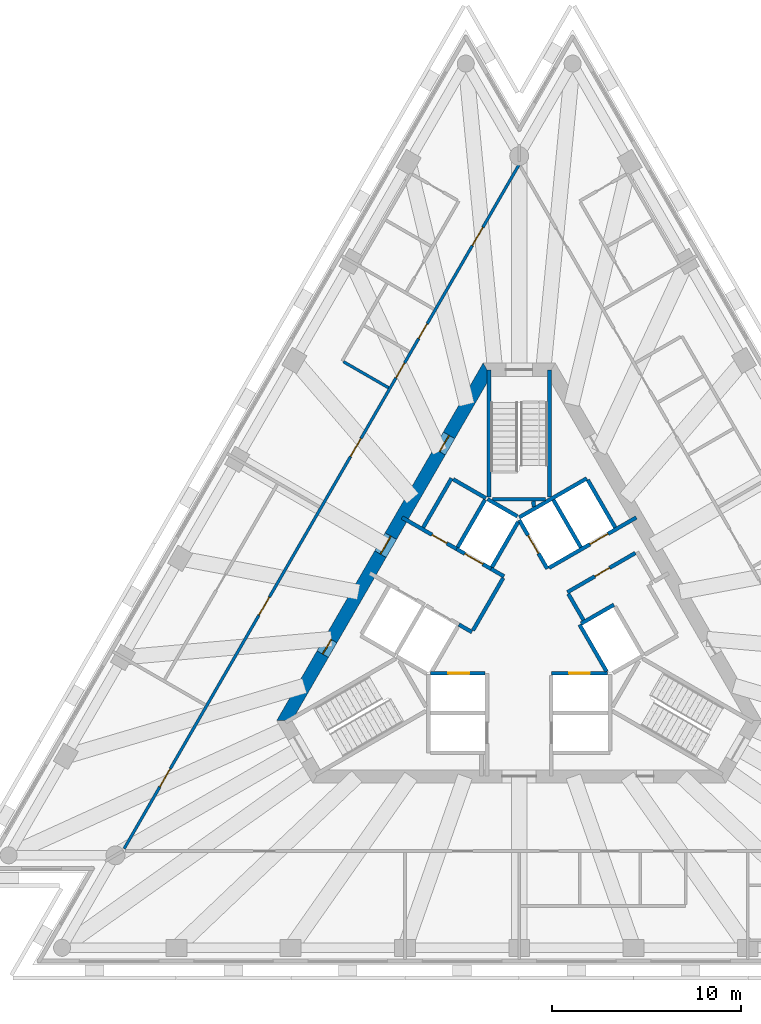
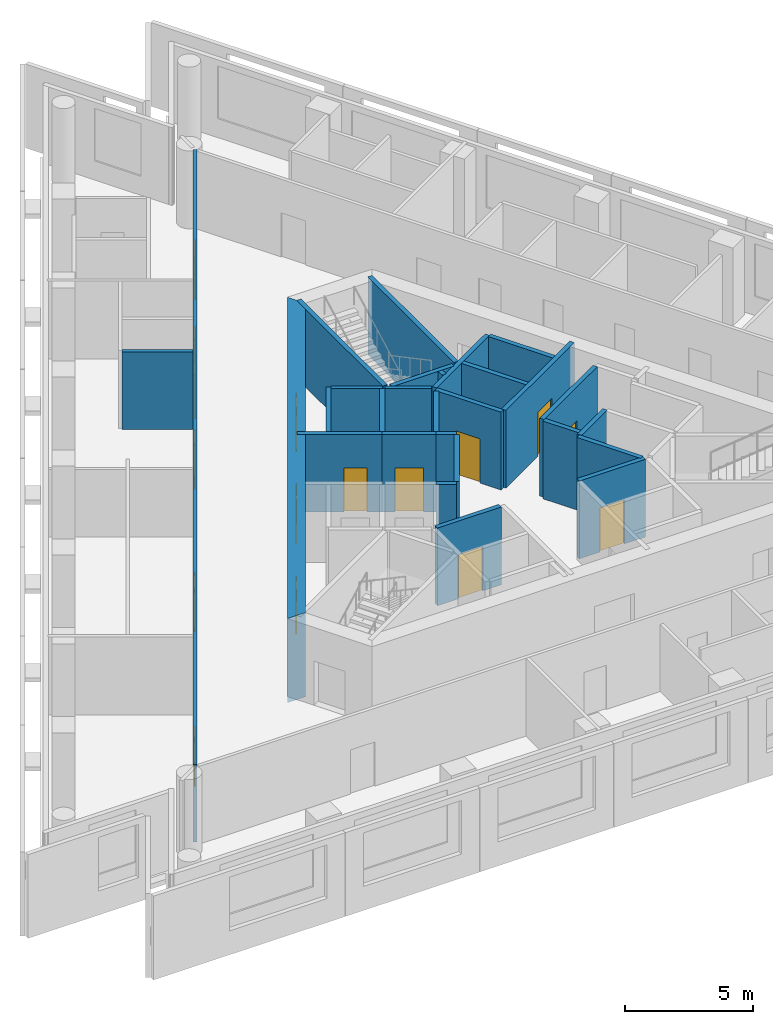
# One storey, part 4 of 9: 28 walls, 16 doors, 16 openings.
"""IFC4 building model written with IfcOpenShell, lengths in metres."""

from ifc_helpers import new_model, si_unit, direction, frame, frame_2d, origin, place, context, subcontext, project, spatial, polyline, rectangle, outline, extrude, material, layer, layer_set, type_object, element, fill, save


model = new_model("IFC4")

# Units and contexts
model_context = context("Model", 3, precision=1e-05, world=origin(), true_north=direction((0.0, 1.0)))
body_context = subcontext(model_context, "Body", "Model", "MODEL_VIEW")
ifc_project = project(units=[si_unit("LENGTHUNIT", "METRE"), si_unit("AREAUNIT", "SQUARE_METRE"), si_unit("VOLUMEUNIT", "CUBIC_METRE"), si_unit("PLANEANGLEUNIT", "RADIAN"), si_unit("MASSUNIT", "GRAM", prefix="KILO")], contexts=[model_context])

# Site, building, storey
site_placement = place(None, origin())
site = spatial("IfcSite", under=ifc_project, at=site_placement, CompositionType="ELEMENT")
building_placement = place(site_placement, origin())
building = spatial("IfcBuilding", under=site, at=building_placement, Name="Triada Interchange Tower", CompositionType="ELEMENT")
storey_placement = place(building_placement, frame((0.0, 0.0, 215.300048828125)))
storey = spatial("IfcBuildingStorey", under=building, at=storey_placement, Name="L50", CompositionType="ELEMENT", Elevation=215.300048828125)

# Wall, opening, door
ifc_material_1 = material(Name="Concrete C30/37", Category="concrete")
ifc_layer_1 = layer(ifc_material_1, 0.199951171875)
ifc_layer_set_1 = layer_set([ifc_layer_1], Name="CORE WALL 200 EI 120")
wall_type_1 = type_object("IfcWallType", Name="CORE WALL 200 EI 120", PredefinedType="SOLIDWALL", material=ifc_layer_set_1)
wall_1_placement = place(storey_placement, frame((-4.676025390625, -2.699951171875, 0.0), z_axis=(0.0, 0.0, 1.0), x_axis=(1.0, 0.0, 0.0)))
wall_1 = element("IfcWall", 1, at=wall_1_placement, inside=storey, type_object=wall_type_1, Name="Wall L50 49", PredefinedType="SOLIDWALL", context=body_context, shape_type="SweptSolid", body=[
    extrude(rectangle(XDim=2.873046875, YDim=0.199951171875, at=frame_2d((1.4365234375, 0.0))), origin(), (0.0, 0.0, 1.0), 3.699951171875),
])
opening_1_placement = place(wall_1_placement, frame((0.93701171875, 0.0, 0.0)))
opening_1 = element("IfcOpeningElement", 2, at=opening_1_placement, cuts=wall_1, Name="Opening LD-HR3", PredefinedType="OPENING", context=body_context, shape_type="SweptSolid", body=[
    extrude(rectangle(XDim=1.10009765625, YDim=2.10009765625, at=frame_2d((0.550048828125, 1.050048828125))), frame((0.0, 0.10986328125, 0.0), z_axis=(0.0, -1.0, 0.0), x_axis=(1.0, 0.0, 0.0)), (0.0, 0.0, 1.0), 0.219970703125),
])
ifc_material_2 = material(Name="Steel S235 door leaf", Category="steel")
door_type_1 = type_object("IfcDoorType", Name="LIFT LANDING DOOR 1100 EI 120", OperationType="SLIDING_TO_LEFT", PredefinedType="DOOR", material=ifc_material_2)
door_1_placement = place(opening_1_placement, origin())
door_1 = element("IfcDoor", 3, at=door_1_placement, inside=storey, type_object=door_type_1, Name="HR3 landing door L50", OperationType="SLIDING_TO_LEFT", OverallHeight=2.10009765625, OverallWidth=1.10009765625, PredefinedType="DOOR", context=body_context, shape_type="SweptSolid", body=[
    extrude(rectangle(XDim=1.10009765625, YDim=2.10009765625, at=frame_2d((0.550048828125, 1.050048828125))), frame((0.0, 0.02490234375, 0.0), z_axis=(0.0, -1.0, 0.0), x_axis=(1.0, 0.0, 0.0)), (0.0, 0.0, 1.0), 0.050048828125),
])
fill(opening_1, door_1)

wall_2_placement = place(storey_placement, frame((1.702880859375, -2.699951171875, 0.0), z_axis=(0.0, 0.0, 1.0), x_axis=(1.0, 0.0, 0.0)))
wall_2 = element("IfcWall", 4, at=wall_2_placement, inside=storey, type_object=wall_type_1, Name="Wall L50 50", PredefinedType="SOLIDWALL", context=body_context, shape_type="SweptSolid", body=[
    extrude(rectangle(XDim=2.97314453125, YDim=0.199951171875, at=frame_2d((1.486572265625, 0.0))), origin(), (0.0, 0.0, 1.0), 3.699951171875),
])
opening_2_placement = place(wall_2_placement, frame((0.93603515625, 0.0, 0.0)))
opening_2 = element("IfcOpeningElement", 5, at=opening_2_placement, cuts=wall_2, Name="Opening LD-HR1", PredefinedType="OPENING", context=body_context, shape_type="SweptSolid", body=[
    extrude(rectangle(XDim=1.10009765625, YDim=2.10009765625, at=frame_2d((0.550048828125, 1.050048828125))), frame((0.0, 0.10986328125, 0.0), z_axis=(0.0, -1.0, 0.0), x_axis=(1.0, 0.0, 0.0)), (0.0, 0.0, 1.0), 0.219970703125),
])
door_2_placement = place(opening_2_placement, origin())
door_2 = element("IfcDoor", 6, at=door_2_placement, inside=storey, type_object=door_type_1, Name="HR1 landing door L50", OperationType="SLIDING_TO_LEFT", OverallHeight=2.10009765625, OverallWidth=1.10009765625, PredefinedType="DOOR", context=body_context, shape_type="SweptSolid", body=[
    extrude(rectangle(XDim=1.10009765625, YDim=2.10009765625, at=frame_2d((0.550048828125, 1.050048828125))), frame((0.0, 0.02490234375, 0.0), z_axis=(0.0, -1.0, 0.0), x_axis=(1.0, 0.0, 0.0)), (0.0, 0.0, 1.0), 0.050048828125),
])
fill(opening_2, door_2)

# Wall
wall_3_placement = place(storey_placement, frame((-0.001953125, 5.541015625, 0.0), z_axis=(0.0, 0.0, 1.0), x_axis=(0.86600155993, 0.500041296494, 0.0)))
element("IfcWall", 7, at=wall_3_placement, inside=storey, type_object=wall_type_1, Name="Wall L50 51", PredefinedType="SOLIDWALL", context=body_context, shape_type="SweptSolid", body=[
    extrude(rectangle(XDim=4.131591796875, YDim=0.199951171875, at=frame_2d((2.06591796875, 0.0))), origin(), (0.0, 0.0, 1.0), 3.699951171875),
])

# Wall, opening, door
wall_4_placement = place(storey_placement, frame((0.0, 5.39990234375, 0.0), z_axis=(0.0, 0.0, 1.0), x_axis=(0.500103862429, -0.865965430478, 0.0)))
wall_4 = element("IfcWall", 8, at=wall_4_placement, inside=storey, type_object=wall_type_1, Name="Wall L50 52", PredefinedType="SOLIDWALL", context=body_context, shape_type="SweptSolid", body=[
    extrude(rectangle(XDim=2.973388671875, YDim=0.199951171875, at=frame_2d((1.48681640625, 0.0))), origin(), (0.0, 0.0, 1.0), 3.699951171875),
])
opening_3_placement = place(wall_4_placement, frame((0.93701171875, 0.0, 0.0)))
opening_3 = element("IfcOpeningElement", 9, at=opening_3_placement, cuts=wall_4, Name="Opening LD-HR5", PredefinedType="OPENING", context=body_context, shape_type="SweptSolid", body=[
    extrude(rectangle(XDim=1.10009765625, YDim=2.10009765625, at=frame_2d((0.550048828125, 1.050048828125))), frame((0.0, 0.10986328125, 0.0), z_axis=(0.0, -1.0, 0.0), x_axis=(1.0, 0.0, 0.0)), (0.0, 0.0, 1.0), 0.219970703125),
])
door_3_placement = place(opening_3_placement, origin())
door_3 = element("IfcDoor", 10, at=door_3_placement, inside=storey, type_object=door_type_1, Name="HR5 landing door L50", OperationType="SLIDING_TO_LEFT", OverallHeight=2.10009765625, OverallWidth=1.10009765625, PredefinedType="DOOR", context=body_context, shape_type="SweptSolid", body=[
    extrude(rectangle(XDim=1.10009765625, YDim=2.10009765625, at=frame_2d((0.550048828125, 1.050048828125))), frame((0.0, 0.02490234375, 0.0), z_axis=(0.0, -1.0, 0.0), x_axis=(1.0, 0.0, 0.0)), (0.0, 0.0, 1.0), 0.050048828125),
])
fill(opening_3, door_3)

# Wall
wall_5_placement = place(storey_placement, frame((3.18994140625, -0.125, 0.0), z_axis=(0.0, 0.0, 1.0), x_axis=(0.499988658015, -0.866031951983, 0.0)))
element("IfcWall", 11, at=wall_5_placement, inside=storey, type_object=wall_type_1, Name="Wall L50 53", PredefinedType="SOLIDWALL", context=body_context, shape_type="SweptSolid", body=[
    extrude(rectangle(XDim=2.85791015625, YDim=0.199951171875, at=frame_2d((1.428955078125, 0.0))), origin(), (0.0, 0.0, 1.0), 3.699951171875),
])

# Wall, opening, door
wall_6_placement = place(storey_placement, frame((1.577880859375, 2.8740234375, 0.0), z_axis=(0.0, 0.0, 1.0), x_axis=(0.866045911672, 0.499964477614, 0.0)))
wall_6 = element("IfcWall", 12, at=wall_6_placement, inside=storey, type_object=wall_type_1, Name="Wall L50 54", PredefinedType="SOLIDWALL", context=body_context, shape_type="SweptSolid", body=[
    extrude(rectangle(XDim=5.32666015625, YDim=0.199951171875, at=frame_2d((2.663330078125, 0.0))), origin(), (0.0, 0.0, 1.0), 3.699951171875),
])
opening_4_placement = place(wall_6_placement, frame((2.49609375, 0.0, 0.0)))
opening_4 = element("IfcOpeningElement", 13, at=opening_4_placement, cuts=wall_6, Name="Opening LD-HR6", PredefinedType="OPENING", context=body_context, shape_type="SweptSolid", body=[
    extrude(rectangle(XDim=1.10009765625, YDim=2.10009765625, at=frame_2d((0.550048828125, 1.050048828125))), frame((0.0, 0.10986328125, 0.0), z_axis=(0.0, -1.0, 0.0), x_axis=(1.0, 0.0, 0.0)), (0.0, 0.0, 1.0), 0.219970703125),
])
door_4_placement = place(opening_4_placement, origin())
door_4 = element("IfcDoor", 14, at=door_4_placement, inside=storey, type_object=door_type_1, Name="HR6 landing door L50", OperationType="SLIDING_TO_LEFT", OverallHeight=2.10009765625, OverallWidth=1.10009765625, PredefinedType="DOOR", context=body_context, shape_type="SweptSolid", body=[
    extrude(rectangle(XDim=1.10009765625, YDim=2.10009765625, at=frame_2d((0.550048828125, 1.050048828125))), frame((0.0, 0.02490234375, 0.0), z_axis=(0.0, -1.0, 0.0), x_axis=(1.0, 0.0, 0.0)), (0.0, 0.0, 1.0), 0.050048828125),
])
fill(opening_4, door_4)

# Walls
wall_7_placement = place(storey_placement, frame((3.278076171875, -0.071044921875, 0.0), z_axis=(0.0, 0.0, 1.0), x_axis=(0.865855657918, 0.500293893279, 0.0)))
element("IfcWall", 15, at=wall_7_placement, inside=storey, type_object=wall_type_1, Name="Wall L50 57", PredefinedType="SOLIDWALL", context=body_context, shape_type="SweptSolid", body=[
    extrude(rectangle(XDim=1.996826171875, YDim=0.199951171875, at=frame_2d((0.99853515625, 0.0))), origin(), (0.0, 0.0, 1.0), 3.699951171875),
])
for number, where, z_axis, x_axis, name in (
    (16, (3.6259765625, 7.52001953125, 0.0), (0.0, 0.0, 1.0), (0.500060147554, -0.865990674793, 0.0), "Wall L50 59"),
    (17, (1.806884765625, 6.469970703125, 0.0), (0.0, 0.0, 1.0), (0.50012328804, -0.865954211699, 0.0), "Wall L50 60"),
):
    element("IfcWall", number, at=place(storey_placement, frame(where, z_axis=z_axis, x_axis=x_axis)), inside=storey, type_object=wall_type_1, Name=name, PredefinedType="SOLIDWALL", context=body_context, shape_type="SweptSolid", body=[
        extrude(rectangle(XDim=2.899658203125, YDim=0.199951171875, at=frame_2d((1.44970703125, 0.0))), origin(), (0.0, 0.0, 1.0), 3.699951171875),
    ])

# Wall, opening, door
wall_8_placement = place(storey_placement, frame((2.548095703125, 1.5869140625, 0.0), z_axis=(0.0, 0.0, 1.0), x_axis=(0.866004344652, 0.500036473714, 0.0)))
wall_8 = element("IfcWall", 18, at=wall_8_placement, inside=storey, type_object=wall_type_1, Name="Wall L50 64", PredefinedType="SOLIDWALL", context=body_context, shape_type="SweptSolid", body=[
    extrude(rectangle(XDim=4.150146484375, YDim=0.199951171875, at=frame_2d((2.0751953125, 0.0))), origin(), (0.0, 0.0, 1.0), 3.699951171875),
])
opening_5_placement = place(wall_8_placement, frame((1.675048828125, 0.0, 0.0)))
opening_5 = element("IfcOpeningElement", 19, at=opening_5_placement, cuts=wall_8, Name="Opening D50-48", PredefinedType="OPENING", context=body_context, shape_type="SweptSolid", body=[
    extrude(rectangle(XDim=0.89990234375, YDim=2.10009765625, at=frame_2d((0.449951171875, 1.050048828125))), frame((0.0, 0.10986328125, 0.0), z_axis=(0.0, -1.0, 0.0), x_axis=(1.0, 0.0, 0.0)), (0.0, 0.0, 1.0), 0.219970703125),
])
door_type_2 = type_object("IfcDoorType", Name="SERVICE DOOR 900 EI2 45-C5S200", OperationType="NOTDEFINED", PredefinedType="DOOR", material=ifc_material_2)
door_5_placement = place(opening_5_placement, origin())
door_5 = element("IfcDoor", 20, at=door_5_placement, inside=storey, type_object=door_type_2, Name="Door D50-48 L50", OperationType="SINGLE_SWING_RIGHT", OverallHeight=2.10009765625, OverallWidth=0.89990234375, PredefinedType="DOOR", context=body_context, shape_type="SweptSolid", body=[
    extrude(rectangle(XDim=0.89990234375, YDim=2.10009765625, at=frame_2d((0.449951171875, 1.050048828125))), frame((0.0, 0.02490234375, 0.0), z_axis=(0.0, -1.0, 0.0), x_axis=(1.0, 0.0, 0.0)), (0.0, 0.0, 1.0), 0.050048828125),
])
fill(opening_5, door_5)

# Walls
wall_9_placement = place(storey_placement, frame((2.597900390625, 1.5, 0.0), z_axis=(0.0, 0.0, 1.0), x_axis=(0.499929347863, -0.866066190972, 0.0)))
element("IfcWall", 21, at=wall_9_placement, inside=storey, type_object=wall_type_1, Name="Wall L50 65", PredefinedType="SOLIDWALL", context=body_context, shape_type="SweptSolid", body=[
    extrude(rectangle(XDim=1.600341796875, YDim=0.199951171875, at=frame_2d((0.80029296875, 0.0))), origin(), (0.0, 0.0, 1.0), 3.699951171875),
])
ifc_layer_2 = layer(ifc_material_1, 0.199951171875)
ifc_layer_set_2 = layer_set([ifc_layer_2], Name="CORE WALL 200 EI 180")
wall_type_2 = type_object("IfcWallType", Name="CORE WALL 200 EI 180", PredefinedType="SOLIDWALL", material=ifc_layer_set_2)
wall_10_placement = place(storey_placement, frame((-3.18798828125, -0.1220703125, 0.0), z_axis=(0.0, 0.0, 1.0), x_axis=(0.865705793592, -0.50055317294, 0.0)))
element("IfcWall", 22, at=wall_10_placement, inside=storey, type_object=wall_type_2, Name="Wall L50 67", PredefinedType="SOLIDWALL", context=body_context, shape_type="SweptSolid", body=[
    extrude(rectangle(XDim=0.796875, YDim=0.199951171875, at=frame_2d((0.3984375, 0.0))), origin(), (0.0, 0.0, 1.0), 3.699951171875),
])

# Wall, opening, door
wall_11_placement = place(storey_placement, frame((-6.19091796875, 5.537109375, 0.0), z_axis=(0.0, 0.0, 1.0), x_axis=(0.866052607023, -0.499952879648, 0.0)))
wall_11 = element("IfcWall", 23, at=wall_11_placement, inside=storey, type_object=wall_type_2, Name="Wall L50 68", PredefinedType="SOLIDWALL", context=body_context, shape_type="SweptSolid", body=[
    extrude(rectangle(XDim=3.332275390625, YDim=0.199951171875, at=frame_2d((1.666015625, 0.0))), origin(), (0.0, 0.0, 1.0), 3.699951171875),
])
opening_6_placement = place(wall_11_placement, frame((1.830078125, 0.0, 0.0)))
opening_6 = element("IfcOpeningElement", 24, at=opening_6_placement, cuts=wall_11, Name="Opening D50-10", PredefinedType="OPENING", context=body_context, shape_type="SweptSolid", body=[
    extrude(rectangle(XDim=0.89990234375, YDim=2.10009765625, at=frame_2d((0.449951171875, 1.050048828125))), frame((0.0, 0.10986328125, 0.0), z_axis=(0.0, -1.0, 0.0), x_axis=(1.0, 0.0, 0.0)), (0.0, 0.0, 1.0), 0.219970703125),
])
door_type_3 = type_object("IfcDoorType", Name="SERVICE DOOR 900 EI2 90-C5S200", OperationType="NOTDEFINED", PredefinedType="DOOR", material=ifc_material_2)
door_6_placement = place(opening_6_placement, origin())
door_6 = element("IfcDoor", 25, at=door_6_placement, inside=storey, type_object=door_type_3, Name="Door D50-10 L50", OperationType="SINGLE_SWING_LEFT", OverallHeight=2.10009765625, OverallWidth=0.89990234375, PredefinedType="DOOR", context=body_context, shape_type="SweptSolid", body=[
    extrude(rectangle(XDim=0.89990234375, YDim=2.10009765625, at=frame_2d((0.449951171875, 1.050048828125))), frame((0.0, 0.02490234375, 0.0), z_axis=(0.0, -1.0, 0.0), x_axis=(1.0, 0.0, 0.0)), (0.0, 0.0, 1.0), 0.050048828125),
])
fill(opening_6, door_6)

# Walls
wall_12_placement = place(storey_placement, frame((-1.488037109375, 2.822021484375, 0.0), z_axis=(0.0, 0.0, 1.0), x_axis=(0.866236612152, -0.499633997809, 0.0)))
element("IfcWall", 26, at=wall_12_placement, inside=storey, type_object=wall_type_2, Name="Wall L50 69", PredefinedType="SOLIDWALL", context=body_context, shape_type="SweptSolid", body=[
    extrude(rectangle(XDim=0.79638671875, YDim=0.199951171875, at=frame_2d((0.398193359375, 0.0))), origin(), (0.0, 0.0, 1.0), 3.699951171875),
])
wall_13_placement = place(storey_placement, frame((-5.075927734375, 5.009033203125, 0.0), z_axis=(0.0, 0.0, 1.0), x_axis=(0.50002537861, 0.866010750942, 0.0)))
element("IfcWall", 27, at=wall_13_placement, inside=storey, type_object=wall_type_2, Name="Wall L50 70", PredefinedType="SOLIDWALL", context=body_context, shape_type="SweptSolid", body=[
    extrude(rectangle(XDim=2.999755859375, YDim=0.199951171875, at=frame_2d((1.5, 0.0))), origin(), (0.0, 0.0, 1.0), 3.699951171875),
])
wall_14_placement = place(storey_placement, frame((-3.489013671875, 7.556884765625, 0.0), z_axis=(0.0, 0.0, 1.0), x_axis=(0.866010750942, -0.50002537861, 0.0)))
element("IfcWall", 28, at=wall_14_placement, inside=storey, type_object=wall_type_2, Name="Wall L50 71", PredefinedType="SOLIDWALL", context=body_context, shape_type="SweptSolid", body=[
    extrude(rectangle(XDim=2.0, YDim=0.199951171875, at=frame_2d((1.0, 0.0))), origin(), (0.0, 0.0, 1.0), 3.699951171875),
])
wall_15_placement = place(storey_placement, frame((-2.444091796875, -0.43310546875, 0.0), z_axis=(0.0, 0.0, 1.0), x_axis=(0.500035624827, 0.866004834804, 0.0)))
element("IfcWall", 29, at=wall_15_placement, inside=storey, type_object=wall_type_2, Name="Wall L50 72", PredefinedType="SOLIDWALL", context=body_context, shape_type="SweptSolid", body=[
    extrude(rectangle(XDim=3.194091796875, YDim=0.199951171875, at=frame_2d((1.59716796875, 0.0))), origin(), (0.0, 0.0, 1.0), 3.699951171875),
])

# Wall, opening, door
wall_16_placement = place(storey_placement, frame((-3.30908203125, 3.873046875, 0.0), z_axis=(0.0, 0.0, 1.0), x_axis=(0.866098583652, -0.499873227325, 0.0)))
wall_16 = element("IfcWall", 30, at=wall_16_placement, inside=storey, type_object=wall_type_2, Name="Shaft wall FF2 L50 77", PredefinedType="SOLIDWALL", context=body_context, shape_type="SweptSolid", body=[
    extrude(rectangle(XDim=2.1025390625, YDim=0.199951171875, at=frame_2d((1.05126953125, 0.0))), origin(), (0.0, 0.0, 1.0), 3.699951171875),
])
opening_7_placement = place(wall_16_placement, frame((0.501953125, 0.0, 0.0)))
opening_7 = element("IfcOpeningElement", 31, at=opening_7_placement, cuts=wall_16, Name="Opening LD-FF2", PredefinedType="OPENING", context=body_context, shape_type="SweptSolid", body=[
    extrude(rectangle(XDim=1.10009765625, YDim=2.10009765625, at=frame_2d((0.550048828125, 1.050048828125))), frame((0.0, 0.10986328125, 0.0), z_axis=(0.0, -1.0, 0.0), x_axis=(1.0, 0.0, 0.0)), (0.0, 0.0, 1.0), 0.219970703125),
])
door_7_placement = place(opening_7_placement, origin())
door_7 = element("IfcDoor", 32, at=door_7_placement, inside=storey, type_object=door_type_1, Name="FF2 landing door L50", OperationType="SLIDING_TO_LEFT", OverallHeight=2.10009765625, OverallWidth=1.10009765625, PredefinedType="DOOR", context=body_context, shape_type="SweptSolid", body=[
    extrude(rectangle(XDim=1.10009765625, YDim=2.10009765625, at=frame_2d((0.550048828125, 1.050048828125))), frame((0.0, 0.02490234375, 0.0), z_axis=(0.0, -1.0, 0.0), x_axis=(1.0, 0.0, 0.0)), (0.0, 0.0, 1.0), 0.050048828125),
])
fill(opening_7, door_7)

# Walls
wall_17_placement = place(storey_placement, frame((-3.257080078125, 3.958984375, 0.0), z_axis=(0.0, 0.0, 1.0), x_axis=(0.50012328804, 0.865954211699, 0.0)))
element("IfcWall", 33, at=wall_17_placement, inside=storey, type_object=wall_type_2, Name="Shaft wall FF2 L50 78", PredefinedType="SOLIDWALL", context=body_context, shape_type="SweptSolid", body=[
    extrude(rectangle(XDim=2.899658203125, YDim=0.199951171875, at=frame_2d((1.44970703125, 0.0))), origin(), (0.0, 0.0, 1.0), 3.699951171875),
])
wall_18_placement = place(storey_placement, frame((-1.669921875, 6.507080078125, 0.0), z_axis=(0.0, 0.0, 1.0), x_axis=(0.865941441609, -0.500145398563, 0.0)))
element("IfcWall", 34, at=wall_18_placement, inside=storey, type_object=wall_type_2, Name="Shaft wall FF2 L50 79", PredefinedType="SOLIDWALL", context=body_context, shape_type="SweptSolid", body=[
    extrude(rectangle(XDim=1.8154296875, YDim=0.199951171875, at=frame_2d((0.90771484375, 0.0))), origin(), (0.0, 0.0, 1.0), 3.699951171875),
])
wall_19_placement = place(storey_placement, frame((-1.43798828125, 2.908935546875, 0.0), z_axis=(0.0, 0.0, 1.0), x_axis=(0.499829630636, 0.866123744241, 0.0)))
element("IfcWall", 35, at=wall_19_placement, inside=storey, type_object=wall_type_2, Name="Shaft wall FF2 L50 80", PredefinedType="SOLIDWALL", context=body_context, shape_type="SweptSolid", body=[
    extrude(rectangle(XDim=2.7607421875, YDim=0.199951171875, at=frame_2d((1.38037109375, 0.0))), origin(), (0.0, 0.0, 1.0), 3.699951171875),
])
ifc_layer_3 = layer(ifc_material_1, 0.199951171875)
ifc_layer_set_3 = layer_set([ifc_layer_3], Name="CORE WALL 200 EI 90")
wall_type_3 = type_object("IfcWallType", Name="CORE WALL 200 EI 90", PredefinedType="SOLIDWALL", material=ifc_layer_set_3)
wall_20_placement = place(storey_placement, frame((0.75, 6.39990234375, 0.0), z_axis=(0.0, 0.0, 1.0), x_axis=(0.080860177601, -0.996725454515, 0.0)))
element("IfcWall", 36, at=wall_20_placement, inside=storey, type_object=wall_type_3, Name="Wall L50 82", PredefinedType="SOLIDWALL", context=body_context, shape_type="SweptSolid", body=[
    extrude(rectangle(XDim=0.2958984375, YDim=0.199951171875, at=frame_2d((0.14794921875, 0.0))), origin(), (0.0, 0.0, 1.0), 3.699951171875),
])
ifc_layer_4 = layer(ifc_material_1, 0.199951171875)
ifc_layer_set_4 = layer_set([ifc_layer_4], Name="CORE WALL 200 REI 240")
wall_type_4 = type_object("IfcWallType", Name="CORE WALL 200 REI 240", PredefinedType="SOLIDWALL", material=ifc_layer_set_4)
wall_21_placement = place(storey_placement, frame((1.60009765625, 6.614990234375, 0.0), z_axis=(0.0, 0.0, 1.0), x_axis=(0.0, 1.0, 0.0)))
element("IfcWall", 37, at=wall_21_placement, inside=storey, type_object=wall_type_4, Name="Wall L50 89", PredefinedType="SOLIDWALL", context=body_context, shape_type="SweptSolid", body=[
    extrude(rectangle(XDim=6.715087890625, YDim=0.199951171875, at=frame_2d((3.357421875, 0.0))), origin(), (0.0, 0.0, 1.0), 3.699951171875),
])
wall_22_placement = place(storey_placement, frame((-1.39990234375, 6.5, 0.0), z_axis=(0.0, 0.0, 1.0), x_axis=(1.0, 0.0, 0.0)))
element("IfcWall", 38, at=wall_22_placement, inside=storey, type_object=wall_type_4, Name="Wall L50 90", PredefinedType="SOLIDWALL", context=body_context, shape_type="SweptSolid", body=[
    extrude(rectangle(XDim=2.7998046875, YDim=0.199951171875, at=frame_2d((1.39990234375, 0.0))), origin(), (0.0, 0.0, 1.0), 3.699951171875),
])
wall_23_placement = place(storey_placement, frame((-1.60009765625, 6.614990234375, 0.0), z_axis=(0.0, 0.0, 1.0), x_axis=(0.0, 1.0, 0.0)))
element("IfcWall", 39, at=wall_23_placement, inside=storey, type_object=wall_type_4, Name="Wall L50 91", PredefinedType="SOLIDWALL", context=body_context, shape_type="SweptSolid", body=[
    extrude(rectangle(XDim=6.715087890625, YDim=0.199951171875, at=frame_2d((3.357421875, 0.0))), origin(), (0.0, 0.0, 1.0), 3.699951171875),
])

# Wall, openings, doors
ifc_material_3 = material(Name="Concrete C50/60", Category="concrete")
ifc_layer_5 = layer(ifc_material_3, 0.699951171875)
ifc_layer_set_5 = layer_set([ifc_layer_5], Name="Core wall C 700")
wall_type_5 = type_object("IfcWallType", Name="Core wall C 700", PredefinedType="SHEAR", material=ifc_layer_set_5)
wall_24_placement = place(storey_placement, frame((-1.702880859375, 13.35009765625, -0.300048828125), z_axis=(0.0, 0.0, 1.0), x_axis=(-0.500011533395, -0.866018744874, 0.0)))
wall_24 = element("IfcWall", 40, at=wall_24_placement, inside=storey, type_object=wall_type_5, Name="Core wall WC02 L50", PredefinedType="SHEAR", context=body_context, shape_type="SweptSolid", body=[
    extrude(outline(polyline([(-0.201904296875, -0.35009765625), (1.781982421875, -0.35009765625), (3.76611328125, -0.35009765625), (5.75, -0.35009765625), (7.734130859375, -0.35009765625), (9.718017578125, -0.35009765625), (11.7021484375, -0.35009765625), (13.68603515625, -0.35009765625), (15.670166015625, -0.35009765625), (17.654052734375, -0.35009765625), (19.63818359375, -0.35009765625), (21.6220703125, -0.35009765625), (21.218017578125, 0.35009765625), (19.307373046875, 0.35009765625), (17.39697265625, 0.35009765625), (15.486328125, 0.35009765625), (13.57568359375, 0.35009765625), (11.665283203125, 0.35009765625), (9.754638671875, 0.35009765625), (7.84423828125, 0.35009765625), (5.93359375, 0.35009765625), (4.02294921875, 0.35009765625), (2.112548828125, 0.35009765625), (0.201904296875, 0.35009765625), (-0.201904296875, -0.35009765625)])), origin(), (0.0, 0.0, 1.0), 4.0),
])
opening_8_placement = place(wall_24_placement, frame((10.159912109375, 0.0, 0.300048828125)))
opening_8 = element("IfcOpeningElement", 41, at=opening_8_placement, cuts=wall_24, Name="Opening D50-42", PredefinedType="OPENING", context=body_context, shape_type="SweptSolid", body=[
    extrude(rectangle(XDim=1.10009765625, YDim=2.10009765625, at=frame_2d((0.550048828125, 1.050048828125))), frame((0.0, 0.360107421875, 0.0), z_axis=(0.0, -1.0, 0.0), x_axis=(1.0, 0.0, 0.0)), (0.0, 0.0, 1.0), 0.72021484375),
])
opening_9_placement = place(wall_24_placement, frame((16.465087890625, 0.0, 0.300048828125)))
opening_9 = element("IfcOpeningElement", 42, at=opening_9_placement, cuts=wall_24, Name="Opening D50-43", PredefinedType="OPENING", context=body_context, shape_type="SweptSolid", body=[
    extrude(rectangle(XDim=0.89990234375, YDim=2.10009765625, at=frame_2d((0.449951171875, 1.050048828125))), frame((0.0, 0.360107421875, 0.0), z_axis=(0.0, -1.0, 0.0), x_axis=(1.0, 0.0, 0.0)), (0.0, 0.0, 1.0), 0.72021484375),
])
opening_10_placement = place(wall_24_placement, frame((4.0048828125, 0.0, 0.300048828125)))
opening_10 = element("IfcOpeningElement", 43, at=opening_10_placement, cuts=wall_24, Name="Opening D50-46", PredefinedType="OPENING", context=body_context, shape_type="SweptSolid", body=[
    extrude(rectangle(XDim=1.0, YDim=2.10009765625, at=frame_2d((0.5, 1.050048828125))), frame((0.0, 0.360107421875, 0.0), z_axis=(0.0, -1.0, 0.0), x_axis=(1.0, 0.0, 0.0)), (0.0, 0.0, 1.0), 0.72021484375),
])
door_type_4 = type_object("IfcDoorType", Name="FIRE LOBBY DOOR 1100 EI2 90-C5S200", OperationType="NOTDEFINED", PredefinedType="DOOR", material=ifc_material_2)
door_8_placement = place(opening_8_placement, origin())
door_8 = element("IfcDoor", 44, at=door_8_placement, inside=storey, type_object=door_type_4, Name="Door D50-42 L50", OperationType="SINGLE_SWING_RIGHT", OverallHeight=2.10009765625, OverallWidth=1.10009765625, PredefinedType="DOOR", context=body_context, shape_type="SweptSolid", body=[
    extrude(rectangle(XDim=1.10009765625, YDim=2.10009765625, at=frame_2d((0.550048828125, 1.050048828125))), frame((0.0, 0.02490234375, 0.0), z_axis=(0.0, -1.0, 0.0), x_axis=(1.0, 0.0, 0.0)), (0.0, 0.0, 1.0), 0.050048828125),
])
fill(opening_8, door_8)
door_type_5 = type_object("IfcDoorType", Name="SERVICE DOOR 1000 EI2 45-C5S200", OperationType="NOTDEFINED", PredefinedType="DOOR", material=ifc_material_2)
door_9_placement = place(opening_10_placement, origin())
door_9 = element("IfcDoor", 45, at=door_9_placement, inside=storey, type_object=door_type_5, Name="Door D50-46 L50", OperationType="SINGLE_SWING_RIGHT", OverallHeight=2.10009765625, OverallWidth=1.0, PredefinedType="DOOR", context=body_context, shape_type="SweptSolid", body=[
    extrude(rectangle(XDim=1.0, YDim=2.10009765625, at=frame_2d((0.5, 1.050048828125))), frame((0.0, 0.02490234375, 0.0), z_axis=(0.0, -1.0, 0.0), x_axis=(1.0, 0.0, 0.0)), (0.0, 0.0, 1.0), 0.050048828125),
])
fill(opening_10, door_9)
door_10_placement = place(opening_9_placement, origin())
door_10 = element("IfcDoor", 46, at=door_10_placement, inside=storey, type_object=door_type_2, Name="Door D50-43 L50", OperationType="SINGLE_SWING_RIGHT", OverallHeight=2.10009765625, OverallWidth=0.89990234375, PredefinedType="DOOR", context=body_context, shape_type="SweptSolid", body=[
    extrude(rectangle(XDim=0.89990234375, YDim=2.10009765625, at=frame_2d((0.449951171875, 1.050048828125))), frame((0.0, 0.02490234375, 0.0), z_axis=(0.0, -1.0, 0.0), x_axis=(1.0, 0.0, 0.0)), (0.0, 0.0, 1.0), 0.050048828125),
])
fill(opening_9, door_10)

ifc_material_4 = material(Name="Gypsum board partition")
ifc_layer_6 = layer(ifc_material_4, 0.14990234375)
ifc_layer_set_6 = layer_set([ifc_layer_6], Name="PARTITION 150 EI 180")
wall_type_6 = type_object("IfcWallType", Name="PARTITION 150 EI 180", PredefinedType="PARTITIONING", material=ifc_layer_set_6)
wall_25_placement = place(storey_placement, frame((-20.883056640625, -11.969970703125, 0.0), z_axis=(0.0, 0.0, 1.0), x_axis=(0.500006150555, 0.866021852731, 0.0)))
wall_25 = element("IfcWall", 47, at=wall_25_placement, inside=storey, type_object=wall_type_6, Name="Wall L50 4", PredefinedType="PARTITIONING", context=body_context, shape_type="SweptSolid", body=[
    extrude(rectangle(XDim=41.765625, YDim=0.14990234375, at=frame_2d((20.8828125, 0.0))), origin(), (0.0, 0.0, 1.0), 3.699951171875),
])
opening_11_placement = place(wall_25_placement, frame((36.81591796875, 0.0, 0.0)))
opening_11 = element("IfcOpeningElement", 48, at=opening_11_placement, cuts=wall_25, Name="Opening D50-29", PredefinedType="OPENING", context=body_context, shape_type="SweptSolid", body=[
    extrude(rectangle(XDim=1.10009765625, YDim=2.10009765625, at=frame_2d((0.550048828125, 1.050048828125))), frame((0.0, 0.0849609375, 0.0), z_axis=(0.0, -1.0, 0.0), x_axis=(1.0, 0.0, 0.0)), (0.0, 0.0, 1.0), 0.169921875),
])
opening_12_placement = place(wall_25_placement, frame((23.93896484375, 0.0, 0.0)))
opening_12 = element("IfcOpeningElement", 49, at=opening_12_placement, cuts=wall_25, Name="Opening D50-32", PredefinedType="OPENING", context=body_context, shape_type="SweptSolid", body=[
    extrude(rectangle(XDim=1.10009765625, YDim=2.10009765625, at=frame_2d((0.550048828125, 1.050048828125))), frame((0.0, 0.0849609375, 0.0), z_axis=(0.0, -1.0, 0.0), x_axis=(1.0, 0.0, 0.0)), (0.0, 0.0, 1.0), 0.169921875),
])
opening_13_placement = place(wall_25_placement, frame((31.138916015625, 0.0, 0.0)))
opening_13 = element("IfcOpeningElement", 50, at=opening_13_placement, cuts=wall_25, Name="Opening D50-33", PredefinedType="OPENING", context=body_context, shape_type="SweptSolid", body=[
    extrude(rectangle(XDim=0.89990234375, YDim=2.10009765625, at=frame_2d((0.449951171875, 1.050048828125))), frame((0.0, 0.0849609375, 0.0), z_axis=(0.0, -1.0, 0.0), x_axis=(1.0, 0.0, 0.0)), (0.0, 0.0, 1.0), 0.169921875),
])
opening_14_placement = place(wall_25_placement, frame((28.739013671875, 0.0, 0.0)))
opening_14 = element("IfcOpeningElement", 51, at=opening_14_placement, cuts=wall_25, Name="Opening D50-34", PredefinedType="OPENING", context=body_context, shape_type="SweptSolid", body=[
    extrude(rectangle(XDim=0.89990234375, YDim=2.10009765625, at=frame_2d((0.449951171875, 1.050048828125))), frame((0.0, 0.0849609375, 0.0), z_axis=(0.0, -1.0, 0.0), x_axis=(1.0, 0.0, 0.0)), (0.0, 0.0, 1.0), 0.169921875),
])
opening_15_placement = place(wall_25_placement, frame((14.258056640625, 0.0, 0.0)))
opening_15 = element("IfcOpeningElement", 52, at=opening_15_placement, cuts=wall_25, Name="Opening D50-35", PredefinedType="OPENING", context=body_context, shape_type="SweptSolid", body=[
    extrude(rectangle(XDim=1.10009765625, YDim=2.10009765625, at=frame_2d((0.550048828125, 1.050048828125))), frame((0.0, 0.0849609375, 0.0), z_axis=(0.0, -1.0, 0.0), x_axis=(1.0, 0.0, 0.0)), (0.0, 0.0, 1.0), 0.169921875),
])
opening_16_placement = place(wall_25_placement, frame((3.777099609375, 0.0, 0.0)))
opening_16 = element("IfcOpeningElement", 53, at=opening_16_placement, cuts=wall_25, Name="Opening D50-37", PredefinedType="OPENING", context=body_context, shape_type="SweptSolid", body=[
    extrude(rectangle(XDim=1.10009765625, YDim=2.10009765625, at=frame_2d((0.550048828125, 1.050048828125))), frame((0.0, 0.0849609375, 0.0), z_axis=(0.0, -1.0, 0.0), x_axis=(1.0, 0.0, 0.0)), (0.0, 0.0, 1.0), 0.169921875),
])
door_type_6 = type_object("IfcDoorType", Name="ROOM DOOR 900 EI2 90-C5S200", OperationType="NOTDEFINED", PredefinedType="DOOR", material=ifc_material_2)
door_11_placement = place(opening_13_placement, origin())
door_11 = element("IfcDoor", 54, at=door_11_placement, inside=storey, type_object=door_type_6, Name="Door D50-33 L50", OperationType="SINGLE_SWING_LEFT", OverallHeight=2.10009765625, OverallWidth=0.89990234375, PredefinedType="DOOR", context=body_context, shape_type="SweptSolid", body=[
    extrude(rectangle(XDim=0.89990234375, YDim=2.10009765625, at=frame_2d((0.449951171875, 1.050048828125))), frame((0.0, 0.02490234375, 0.0), z_axis=(0.0, -1.0, 0.0), x_axis=(1.0, 0.0, 0.0)), (0.0, 0.0, 1.0), 0.050048828125),
])
fill(opening_13, door_11)
door_12_placement = place(opening_14_placement, origin())
door_12 = element("IfcDoor", 55, at=door_12_placement, inside=storey, type_object=door_type_3, Name="Door D50-34 L50", OperationType="SINGLE_SWING_LEFT", OverallHeight=2.10009765625, OverallWidth=0.89990234375, PredefinedType="DOOR", context=body_context, shape_type="SweptSolid", body=[
    extrude(rectangle(XDim=0.89990234375, YDim=2.10009765625, at=frame_2d((0.449951171875, 1.050048828125))), frame((0.0, 0.02490234375, 0.0), z_axis=(0.0, -1.0, 0.0), x_axis=(1.0, 0.0, 0.0)), (0.0, 0.0, 1.0), 0.050048828125),
])
fill(opening_14, door_12)
door_type_7 = type_object("IfcDoorType", Name="TENANCY ENTRANCE DOOR 1100 EI2 90-C5S200", OperationType="NOTDEFINED", PredefinedType="DOOR", material=ifc_material_2)
door_13_placement = place(opening_11_placement, origin())
door_13 = element("IfcDoor", 56, at=door_13_placement, inside=storey, type_object=door_type_7, Name="Door D50-29 L50", OperationType="SINGLE_SWING_RIGHT", OverallHeight=2.10009765625, OverallWidth=1.10009765625, PredefinedType="DOOR", context=body_context, shape_type="SweptSolid", body=[
    extrude(rectangle(XDim=1.10009765625, YDim=2.10009765625, at=frame_2d((0.550048828125, 1.050048828125))), frame((0.0, 0.02490234375, 0.0), z_axis=(0.0, -1.0, 0.0), x_axis=(1.0, 0.0, 0.0)), (0.0, 0.0, 1.0), 0.050048828125),
])
fill(opening_11, door_13)
door_14_placement = place(opening_12_placement, origin())
door_14 = element("IfcDoor", 57, at=door_14_placement, inside=storey, type_object=door_type_7, Name="Door D50-32 L50", OperationType="SINGLE_SWING_LEFT", OverallHeight=2.10009765625, OverallWidth=1.10009765625, PredefinedType="DOOR", context=body_context, shape_type="SweptSolid", body=[
    extrude(rectangle(XDim=1.10009765625, YDim=2.10009765625, at=frame_2d((0.550048828125, 1.050048828125))), frame((0.0, 0.02490234375, 0.0), z_axis=(0.0, -1.0, 0.0), x_axis=(1.0, 0.0, 0.0)), (0.0, 0.0, 1.0), 0.050048828125),
])
fill(opening_12, door_14)
door_15_placement = place(opening_15_placement, origin())
door_15 = element("IfcDoor", 58, at=door_15_placement, inside=storey, type_object=door_type_7, Name="Door D50-35 L50", OperationType="SINGLE_SWING_LEFT", OverallHeight=2.10009765625, OverallWidth=1.10009765625, PredefinedType="DOOR", context=body_context, shape_type="SweptSolid", body=[
    extrude(rectangle(XDim=1.10009765625, YDim=2.10009765625, at=frame_2d((0.550048828125, 1.050048828125))), frame((0.0, 0.02490234375, 0.0), z_axis=(0.0, -1.0, 0.0), x_axis=(1.0, 0.0, 0.0)), (0.0, 0.0, 1.0), 0.050048828125),
])
fill(opening_15, door_15)
door_16_placement = place(opening_16_placement, origin())
door_16 = element("IfcDoor", 59, at=door_16_placement, inside=storey, type_object=door_type_7, Name="Door D50-37 L50", OperationType="SINGLE_SWING_LEFT", OverallHeight=2.10009765625, OverallWidth=1.10009765625, PredefinedType="DOOR", context=body_context, shape_type="SweptSolid", body=[
    extrude(rectangle(XDim=1.10009765625, YDim=2.10009765625, at=frame_2d((0.550048828125, 1.050048828125))), frame((0.0, 0.02490234375, 0.0), z_axis=(0.0, -1.0, 0.0), x_axis=(1.0, 0.0, 0.0)), (0.0, 0.0, 1.0), 0.050048828125),
])
fill(opening_16, door_16)

# Wall
wall_26_placement = place(storey_placement, frame((-9.2890625, 13.77099609375, 0.0), z_axis=(0.0, 0.0, 1.0), x_axis=(0.865965703354, -0.500103389924, 0.0)))
element("IfcWall", 60, at=wall_26_placement, inside=storey, type_object=wall_type_6, Name="Wall L50 10", PredefinedType="PARTITIONING", context=body_context, shape_type="SweptSolid", body=[
    extrude(rectangle(XDim=2.75537109375, YDim=0.14990234375, at=frame_2d((1.377685546875, 0.0))), origin(), (0.0, 0.0, 1.0), 3.699951171875),
])

save(model, "model.ifc")
